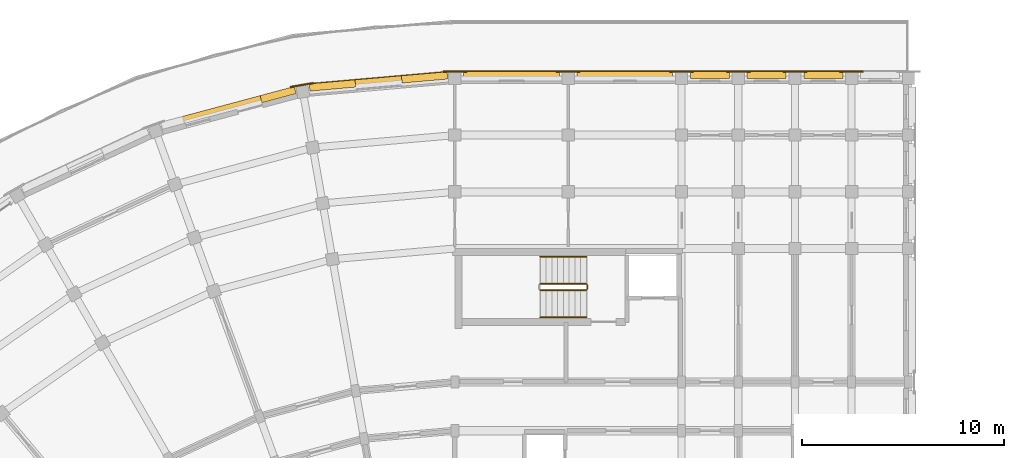
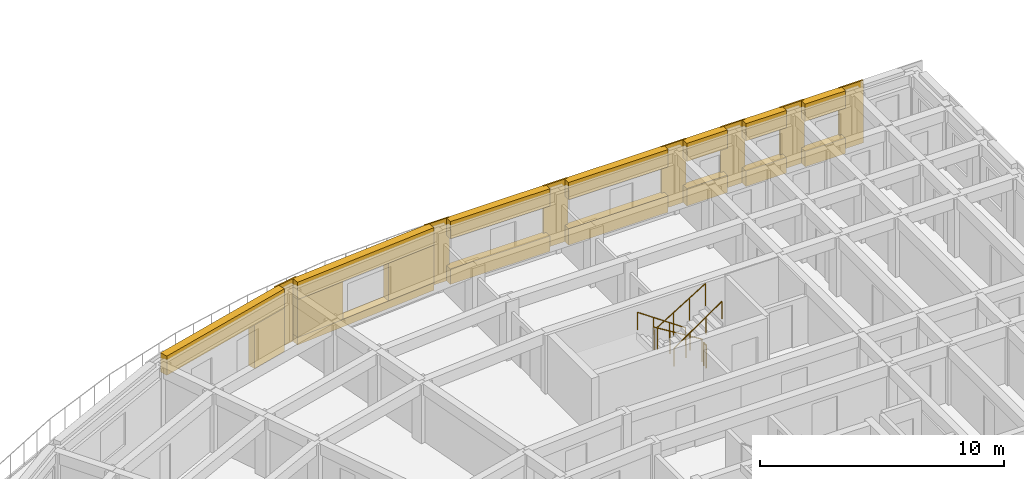
# One storey, part 27 of 32: 23 coverings, 5 railings.
"""IFC4 building model written with IfcOpenShell, lengths in metres."""

from ifc_helpers import new_model, si_unit, direction, frame, origin, origin_2d, place, context, subcontext, project, spatial, polyline, circle, outline, extrude, material, layer, layer_set, type_object, element, save


model = new_model("IFC4")

# Units and contexts
model_context = context("Model", 3, precision=1e-05, world=origin(), true_north=direction((0.0, 1.0)))
body_context = subcontext(model_context, "Body", "Model", "MODEL_VIEW")
ifc_project = project(units=[si_unit("LENGTHUNIT", "METRE"), si_unit("AREAUNIT", "SQUARE_METRE"), si_unit("VOLUMEUNIT", "CUBIC_METRE"), si_unit("PLANEANGLEUNIT", "RADIAN"), si_unit("MASSUNIT", "GRAM", prefix="KILO")], contexts=[model_context])

# Site, building, storey
site_placement = place(None, origin())
site = spatial("IfcSite", under=ifc_project, at=site_placement, CompositionType="ELEMENT")
building_placement = place(site_placement, origin())
building = spatial("IfcBuilding", under=site, at=building_placement, Name="Kiranvali Square Residences", CompositionType="ELEMENT")
storey_placement = place(building_placement, frame((0.0, 0.0, 40.199951171875)))
storey = spatial("IfcBuildingStorey", under=building, at=storey_placement, Name="L12", CompositionType="ELEMENT", Elevation=40.199951171875)

# Coverings
ifc_material_1 = material(Name="Honed Porbandar limestone ashlar facade cladding", Category="masonry")
ifc_layer_1 = layer(ifc_material_1, 0.3798828125)
ifc_layer_set_1 = layer_set([ifc_layer_1], Name="Honed Porbandar limestone ashlar facade cladding")
covering_type_1 = type_object("IfcCoveringType", Name="COV-CLAD-JAMB", PredefinedType="CLADDING", material=ifc_layer_set_1)
covering_1_placement = place(storey_placement, frame((0.0, 0.0, 0.380126953125)))
element("IfcCovering", 1, at=covering_1_placement, inside=storey, type_object=covering_type_1, Name="L12 deep limestone window jamb reveal A-L12-CRV-00.L", PredefinedType="CLADDING", context=body_context, shape_type="SweptSolid", body=[
    extrude(outline(polyline([(47.820068359375, 131.328125), (45.5634765625, 131.130615234375), (45.5947265625, 130.7724609375), (47.851318359375, 130.969970703125), (47.820068359375, 131.328125)])), origin(), (0.0, 0.0, 1.0), 1.89990234375),
])
covering_2_placement = place(storey_placement, frame((0.0, 0.0, 0.380126953125)))
element("IfcCovering", 2, at=covering_2_placement, inside=storey, type_object=covering_type_1, Name="L12 deep limestone window jamb reveal A-L12-CRV-00.R", PredefinedType="CLADDING", context=body_context, shape_type="SweptSolid", body=[
    extrude(outline(polyline([(43.272216796875, 130.93017578125), (41.015625, 130.73291015625), (41.047119140625, 130.374755859375), (43.303466796875, 130.572021484375), (43.272216796875, 130.93017578125)])), origin(), (0.0, 0.0, 1.0), 1.89990234375),
])
covering_3_placement = place(storey_placement, origin())
element("IfcCovering", 3, at=covering_3_placement, inside=storey, type_object=covering_type_1, Name="L12 deep limestone window jamb reveal A-L12-CRV-01.L", PredefinedType="CLADDING", context=body_context, shape_type="SweptSolid", body=[
    extrude(outline(polyline([(40.26708984375, 130.600830078125), (38.5859375, 130.150390625), (38.678955078125, 129.802978515625), (40.360107421875, 130.253662109375), (40.26708984375, 130.600830078125)])), origin(), (0.0, 0.0, 1.0), 2.179931640625),
])
ifc_layer_2 = layer(ifc_material_1, 0.06494140625)
ifc_layer_set_2 = layer_set([ifc_layer_2], Name="Honed Porbandar limestone ashlar facade cladding")
covering_type_2 = type_object("IfcCoveringType", Name="COV-CLAD-PIER", PredefinedType="CLADDING", material=ifc_layer_set_2)
covering_4_placement = place(storey_placement, frame((0.0, 0.0, 0.005126953125)))
element("IfcCovering", 4, at=covering_4_placement, inside=storey, type_object=covering_type_2, Name="L12 Classical limestone corner pilaster CLAD-PR-A-L12-A00", PredefinedType="CLADDING", context=body_context, shape_type="SweptSolid", body=[
    extrude(outline(polyline([(48.780029296875, 131.367919921875), (47.6201171875, 131.367919921875), (47.6201171875, 131.300537109375), (48.780029296875, 131.300537109375), (48.780029296875, 131.367919921875)])), origin(), (0.0, 0.0, 1.0), 3.139892578125),
])
covering_5_placement = place(storey_placement, frame((0.0, 0.0, 0.005126953125)))
element("IfcCovering", 5, at=covering_5_placement, inside=storey, type_object=covering_type_2, Name="L12 Classical limestone corner pilaster CLAD-PR-A-L12-A01", PredefinedType="CLADDING", context=body_context, shape_type="SweptSolid", body=[
    extrude(outline(polyline([(41.20556640625, 130.806884765625), (40.063232421875, 130.60546875), (40.074951171875, 130.538818359375), (41.217529296875, 130.740234375), (41.20556640625, 130.806884765625)])), origin(), (0.0, 0.0, 1.0), 3.139892578125),
])
ifc_layer_3 = layer(ifc_material_1, 0.054931640625)
ifc_layer_set_3 = layer_set([ifc_layer_3], Name="Honed Porbandar limestone ashlar facade cladding")
covering_type_3 = type_object("IfcCoveringType", Name="COV-CLAD-PIER-UP", PredefinedType="CLADDING", material=ifc_layer_set_3)
covering_6_placement = place(storey_placement, frame((0.0, 0.0, 0.005126953125)))
element("IfcCovering", 6, at=covering_6_placement, inside=storey, type_object=covering_type_3, Name="L12 Classical limestone pilaster casing CLAD-PR-A-L12-U56", PredefinedType="CLADDING", context=body_context, shape_type="SweptSolid", body=[
    extrude(outline(polyline([(53.219970703125, 131.300537109375), (54.3798828125, 131.300537109375), (54.3798828125, 131.367919921875), (53.219970703125, 131.367919921875), (53.219970703125, 131.300537109375)])), origin(), (0.0, 0.0, 1.0), 3.139892578125),
])
covering_7_placement = place(storey_placement, frame((0.0, 0.0, 0.005126953125)))
element("IfcCovering", 7, at=covering_7_placement, inside=storey, type_object=covering_type_3, Name="L12 Classical limestone pilaster casing CLAD-PR-A-L12-U112", PredefinedType="CLADDING", context=body_context, shape_type="SweptSolid", body=[
    extrude(outline(polyline([(58.820068359375, 131.300537109375), (59.97998046875, 131.300537109375), (59.97998046875, 131.367919921875), (58.820068359375, 131.367919921875), (58.820068359375, 131.300537109375)])), origin(), (0.0, 0.0, 1.0), 3.139892578125),
])
covering_8_placement = place(storey_placement, frame((0.0, 0.0, 0.005126953125)))
element("IfcCovering", 8, at=covering_8_placement, inside=storey, type_object=covering_type_3, Name="L12 Classical limestone pilaster casing CLAD-PR-A-L12-U140", PredefinedType="CLADDING", context=body_context, shape_type="SweptSolid", body=[
    extrude(outline(polyline([(61.6201171875, 131.300537109375), (62.780029296875, 131.300537109375), (62.780029296875, 131.367919921875), (61.6201171875, 131.367919921875), (61.6201171875, 131.300537109375)])), origin(), (0.0, 0.0, 1.0), 3.139892578125),
])
covering_9_placement = place(storey_placement, frame((0.0, 0.0, 0.005126953125)))
element("IfcCovering", 9, at=covering_9_placement, inside=storey, type_object=covering_type_3, Name="L12 Classical limestone pilaster casing CLAD-PR-A-L12-U167", PredefinedType="CLADDING", context=body_context, shape_type="SweptSolid", body=[
    extrude(outline(polyline([(64.419921875, 131.300537109375), (65.580078125, 131.300537109375), (65.580078125, 131.367919921875), (64.419921875, 131.367919921875), (64.419921875, 131.300537109375)])), origin(), (0.0, 0.0, 1.0), 3.139892578125),
])
covering_10_placement = place(storey_placement, frame((0.0, 0.0, 0.005126953125)))
element("IfcCovering", 10, at=covering_10_placement, inside=storey, type_object=covering_type_3, Name="L12 Classical limestone pilaster casing CLAD-PR-A-L12-U195", PredefinedType="CLADDING", context=body_context, shape_type="SweptSolid", body=[
    extrude(outline(polyline([(67.219970703125, 131.300537109375), (68.3798828125, 131.300537109375), (68.3798828125, 131.367919921875), (67.219970703125, 131.367919921875), (67.219970703125, 131.300537109375)])), origin(), (0.0, 0.0, 1.0), 3.139892578125),
])
ifc_layer_4 = layer(ifc_material_1, 0.360107421875)
ifc_layer_set_4 = layer_set([ifc_layer_4], Name="Honed Porbandar limestone ashlar facade cladding")
covering_type_4 = type_object("IfcCoveringType", Name="COV-CLAD-WALL", PredefinedType="CLADDING", material=ifc_layer_set_4)
covering_11_placement = place(storey_placement, frame((0.0, 0.0, 2.280029296875)))
element("IfcCovering", 11, at=covering_11_placement, inside=storey, type_object=covering_type_4, Name="L12 light limestone spandrel lintel A-L12-CRV-00", PredefinedType="CLADDING", context=body_context, shape_type="SweptSolid", body=[
    extrude(outline(polyline([(47.820068359375, 131.328125), (41.015625, 130.73291015625), (41.047119140625, 130.374755859375), (47.851318359375, 130.969970703125), (47.820068359375, 131.328125)])), origin(), (0.0, 0.0, 1.0), 0.864990234375),
])
covering_12_placement = place(storey_placement, frame((0.0, 0.0, 2.179931640625)))
element("IfcCovering", 12, at=covering_12_placement, inside=storey, type_object=covering_type_4, Name="L12 light limestone spandrel lintel A-L12-CRV-01", PredefinedType="CLADDING", context=body_context, shape_type="SweptSolid", body=[
    extrude(outline(polyline([(40.26708984375, 130.600830078125), (33.669677734375, 128.8330078125), (33.7626953125, 128.48583984375), (40.360107421875, 130.253662109375), (40.26708984375, 130.600830078125)])), origin(), (0.0, 0.0, 1.0), 0.965087890625),
])
covering_13_placement = place(storey_placement, frame((0.0, 0.0, 2.280029296875)))
element("IfcCovering", 13, at=covering_13_placement, inside=storey, type_object=covering_type_4, Name="L12 light limestone spandrel lintel A-L12-A1O-0", PredefinedType="CLADDING", context=body_context, shape_type="SweptSolid", body=[
    extrude(outline(polyline([(48.639892578125, 131.00048828125), (53.360107421875, 131.00048828125), (53.360107421875, 131.35009765625), (48.639892578125, 131.35009765625), (48.639892578125, 131.00048828125)])), origin(), (0.0, 0.0, 1.0), 0.864990234375),
])
covering_14_placement = place(storey_placement, frame((0.0, 0.0, 2.280029296875)))
element("IfcCovering", 14, at=covering_14_placement, inside=storey, type_object=covering_type_4, Name="L12 light limestone spandrel lintel A-L12-A1O-1", PredefinedType="CLADDING", context=body_context, shape_type="SweptSolid", body=[
    extrude(outline(polyline([(54.239990234375, 131.00048828125), (58.9599609375, 131.00048828125), (58.9599609375, 131.35009765625), (54.239990234375, 131.35009765625), (54.239990234375, 131.00048828125)])), origin(), (0.0, 0.0, 1.0), 0.864990234375),
])
covering_15_placement = place(storey_placement, frame((0.0, 0.0, 2.22998046875)))
element("IfcCovering", 15, at=covering_15_placement, inside=storey, type_object=covering_type_4, Name="L12 light limestone spandrel lintel A-L12-A1O-2", PredefinedType="CLADDING", context=body_context, shape_type="SweptSolid", body=[
    extrude(outline(polyline([(59.840087890625, 131.00048828125), (61.760009765625, 131.00048828125), (61.760009765625, 131.35009765625), (59.840087890625, 131.35009765625), (59.840087890625, 131.00048828125)])), origin(), (0.0, 0.0, 1.0), 0.9150390625),
])
covering_16_placement = place(storey_placement, frame((0.0, 0.0, 2.280029296875)))
element("IfcCovering", 16, at=covering_16_placement, inside=storey, type_object=covering_type_4, Name="L12 light limestone spandrel lintel A-L12-A1O-3", PredefinedType="CLADDING", context=body_context, shape_type="SweptSolid", body=[
    extrude(outline(polyline([(62.639892578125, 131.00048828125), (64.56005859375, 131.00048828125), (64.56005859375, 131.35009765625), (62.639892578125, 131.35009765625), (62.639892578125, 131.00048828125)])), origin(), (0.0, 0.0, 1.0), 0.864990234375),
])
covering_17_placement = place(storey_placement, frame((0.0, 0.0, 2.280029296875)))
element("IfcCovering", 17, at=covering_17_placement, inside=storey, type_object=covering_type_4, Name="L12 light limestone spandrel lintel A-L12-A1O-4", PredefinedType="CLADDING", context=body_context, shape_type="SweptSolid", body=[
    extrude(outline(polyline([(65.43994140625, 131.00048828125), (67.360107421875, 131.00048828125), (67.360107421875, 131.35009765625), (65.43994140625, 131.35009765625), (65.43994140625, 131.00048828125)])), origin(), (0.0, 0.0, 1.0), 0.864990234375),
])
ifc_layer_5 = layer(ifc_material_1, 0.320068359375)
ifc_layer_set_5 = layer_set([ifc_layer_5], Name="Honed Porbandar limestone ashlar facade cladding")
covering_type_5 = type_object("IfcCoveringType", Name="COV-CLAD-WALL-UP", PredefinedType="CLADDING", material=ifc_layer_set_5)
covering_18_placement = place(storey_placement, frame((0.0, 0.0, 0.005126953125)))
element("IfcCovering", 18, at=covering_18_placement, inside=storey, type_object=covering_type_5, Name="L12 limestone window sill apron A-L12-CRV-00", PredefinedType="CLADDING", context=body_context, shape_type="SweptSolid", body=[
    extrude(outline(polyline([(47.8173828125, 131.35791015625), (41.01318359375, 130.7626953125), (41.047119140625, 130.374755859375), (47.851318359375, 130.969970703125), (47.8173828125, 131.35791015625)])), origin(), (0.0, 0.0, 1.0), 0.375),
])
covering_19_placement = place(storey_placement, frame((0.0, 0.0, 0.005126953125)))
element("IfcCovering", 19, at=covering_19_placement, inside=storey, type_object=covering_type_5, Name="L12 limestone window sill apron A-L12-A1O-0", PredefinedType="CLADDING", context=body_context, shape_type="SweptSolid", body=[
    extrude(outline(polyline([(48.639892578125, 131.00048828125), (53.360107421875, 131.00048828125), (53.360107421875, 131.3798828125), (48.639892578125, 131.3798828125), (48.639892578125, 131.00048828125)])), origin(), (0.0, 0.0, 1.0), 0.77490234375),
])
covering_20_placement = place(storey_placement, frame((0.0, 0.0, 0.005126953125)))
element("IfcCovering", 20, at=covering_20_placement, inside=storey, type_object=covering_type_5, Name="L12 limestone window sill apron A-L12-A1O-1", PredefinedType="CLADDING", context=body_context, shape_type="SweptSolid", body=[
    extrude(outline(polyline([(54.239990234375, 131.00048828125), (58.9599609375, 131.00048828125), (58.9599609375, 131.3798828125), (54.239990234375, 131.3798828125), (54.239990234375, 131.00048828125)])), origin(), (0.0, 0.0, 1.0), 0.824951171875),
])
covering_21_placement = place(storey_placement, frame((0.0, 0.0, 0.005126953125)))
element("IfcCovering", 21, at=covering_21_placement, inside=storey, type_object=covering_type_5, Name="L12 limestone window sill apron A-L12-A1O-2", PredefinedType="CLADDING", context=body_context, shape_type="SweptSolid", body=[
    extrude(outline(polyline([(59.840087890625, 131.00048828125), (61.760009765625, 131.00048828125), (61.760009765625, 131.3798828125), (59.840087890625, 131.3798828125), (59.840087890625, 131.00048828125)])), origin(), (0.0, 0.0, 1.0), 0.875),
])
covering_22_placement = place(storey_placement, frame((0.0, 0.0, 0.005126953125)))
element("IfcCovering", 22, at=covering_22_placement, inside=storey, type_object=covering_type_5, Name="L12 limestone window sill apron A-L12-A1O-3", PredefinedType="CLADDING", context=body_context, shape_type="SweptSolid", body=[
    extrude(outline(polyline([(62.639892578125, 131.00048828125), (64.56005859375, 131.00048828125), (64.56005859375, 131.3798828125), (62.639892578125, 131.3798828125), (62.639892578125, 131.00048828125)])), origin(), (0.0, 0.0, 1.0), 0.77490234375),
])
covering_23_placement = place(storey_placement, frame((0.0, 0.0, 0.005126953125)))
element("IfcCovering", 23, at=covering_23_placement, inside=storey, type_object=covering_type_5, Name="L12 limestone window sill apron A-L12-A1O-4", PredefinedType="CLADDING", context=body_context, shape_type="SweptSolid", body=[
    extrude(outline(polyline([(65.43994140625, 131.00048828125), (67.360107421875, 131.00048828125), (67.360107421875, 131.3798828125), (65.43994140625, 131.3798828125), (65.43994140625, 131.00048828125)])), origin(), (0.0, 0.0, 1.0), 0.77490234375),
])

# Railings
ifc_material_2 = material(Name="Brushed stainless steel tubular handrail", Category="steel")
railing_type_1 = type_object("IfcRailingType", Name="RL-HANDRAIL-900", PredefinedType="HANDRAIL", material=ifc_material_2)
railing_1_placement = place(storey_placement, frame((54.699951171875, 122.199951171875, 0.175048828125)))
element("IfcRailing", 24, at=railing_1_placement, inside=storey, type_object=railing_type_1, Name="L12 ST-A1 stair handrail 1", PredefinedType="HANDRAIL", context=body_context, shape_type="SweptSolid", body=[
    extrude(circle(Radius=0.02392578125, at=origin_2d()), frame((0.0, 0.0, 0.8759765625), z_axis=(-0.82278801735, 0.0, 0.568348377763), x_axis=(0.0, -1.0, 0.0)), (0.0, 0.0, 1.0), 2.77099609375),
    extrude(circle(Radius=0.02099609375, at=origin_2d()), origin(), (0.0, 0.0, 1.0), 0.851806640625),
    extrude(circle(Radius=0.02099609375, at=origin_2d()), frame((-0.760009765625, 0.0, 0.52490234375)), (0.0, 0.0, 1.0), 0.851806640625),
    extrude(circle(Radius=0.02099609375, at=origin_2d()), frame((-1.52001953125, 0.0, 1.050048828125)), (0.0, 0.0, 1.0), 0.851806640625),
    extrude(circle(Radius=0.02099609375, at=origin_2d()), frame((-2.280029296875, 0.0, 1.574951171875)), (0.0, 0.0, 1.0), 0.851806640625),
])
railing_2_placement = place(storey_placement, frame((52.419921875, 119.199951171875, 1.75)))
element("IfcRailing", 25, at=railing_2_placement, inside=storey, type_object=railing_type_1, Name="L12 ST-A1 stair handrail 2", PredefinedType="HANDRAIL", context=body_context, shape_type="SweptSolid", body=[
    extrude(circle(Radius=0.02392578125, at=origin_2d()), frame((0.0, 0.0, 0.8759765625), z_axis=(0.82278801735, 0.0, 0.568348377763), x_axis=(0.0, 1.0, 0.0)), (0.0, 0.0, 1.0), 2.77099609375),
    extrude(circle(Radius=0.02099609375, at=origin_2d()), origin(), (0.0, 0.0, 1.0), 0.851806640625),
    extrude(circle(Radius=0.02099609375, at=origin_2d()), frame((0.760009765625, 0.0, 0.52490234375)), (0.0, 0.0, 1.0), 0.851806640625),
    extrude(circle(Radius=0.02099609375, at=origin_2d()), frame((1.52001953125, 0.0, 1.050048828125)), (0.0, 0.0, 1.0), 0.851806640625),
    extrude(circle(Radius=0.02099609375, at=origin_2d()), frame((2.280029296875, 0.0, 1.574951171875)), (0.0, 0.0, 1.0), 0.851806640625),
])
ifc_material_3 = material(Name="Powder-coated architectural bronze balustrade", Category="steel")
railing_type_2 = type_object("IfcRailingType", Name="RL-ST-GUARD-1200", PredefinedType="GUARDRAIL", material=ifc_material_3)
railing_3_placement = place(storey_placement, frame((54.699951171875, 120.85009765625, 0.175048828125)))
element("IfcRailing", 26, at=railing_3_placement, inside=storey, type_object=railing_type_2, Name="L12 ST-A1 stair guard 1", PredefinedType="GUARDRAIL", context=body_context, shape_type="SweptSolid", body=[
    extrude(circle(Radius=0.02392578125, at=origin_2d()), frame((0.0, 0.0, 1.1259765625), z_axis=(-0.852190499154, 0.0, 0.523231643875), x_axis=(0.0, -1.0, 0.0)), (0.0, 0.0, 1.0), 2.675537109375),
    extrude(circle(Radius=0.02099609375, at=origin_2d()), origin(), (0.0, 0.0, 1.0), 1.101806640625),
    extrude(circle(Radius=0.02099609375, at=origin_2d()), frame((-0.760009765625, 0.0, 0.466552734375)), (0.0, 0.0, 1.0), 1.101806640625),
    extrude(circle(Radius=0.02099609375, at=origin_2d()), frame((-1.52001953125, 0.0, 0.933349609375)), (0.0, 0.0, 1.0), 1.101806640625),
    extrude(circle(Radius=0.02099609375, at=origin_2d()), frame((-2.280029296875, 0.0, 1.39990234375)), (0.0, 0.0, 1.0), 1.101806640625),
])
railing_4_placement = place(storey_placement, frame((52.419921875, 120.550048828125, 1.75)))
element("IfcRailing", 27, at=railing_4_placement, inside=storey, type_object=railing_type_2, Name="L12 ST-A1 stair guard 3", PredefinedType="GUARDRAIL", context=body_context, shape_type="SweptSolid", body=[
    extrude(circle(Radius=0.02392578125, at=origin_2d()), frame((0.0, 0.0, 1.1259765625), z_axis=(0.852149810458, 0.0, 0.523297908018), x_axis=(0.0, 1.0, 0.0)), (0.0, 0.0, 1.0), 2.675537109375),
    extrude(circle(Radius=0.02099609375, at=origin_2d()), origin(), (0.0, 0.0, 1.0), 1.101806640625),
    extrude(circle(Radius=0.02099609375, at=origin_2d()), frame((0.760009765625, 0.0, 0.466796875)), (0.0, 0.0, 1.0), 1.101806640625),
    extrude(circle(Radius=0.02099609375, at=origin_2d()), frame((1.52001953125, 0.0, 0.933349609375)), (0.0, 0.0, 1.0), 1.101806640625),
    extrude(circle(Radius=0.02099609375, at=origin_2d()), frame((2.280029296875, 0.0, 1.400146484375)), (0.0, 0.0, 1.0), 1.101806640625),
])
railing_5_placement = place(storey_placement, frame((54.75, 120.800048828125, 0.0)))
element("IfcRailing", 28, at=railing_5_placement, inside=storey, type_object=railing_type_2, Name="L12 ST-A1 stair guard 4", PredefinedType="GUARDRAIL", context=body_context, shape_type="SweptSolid", body=[
    extrude(circle(Radius=0.02392578125, at=origin_2d()), frame((0.0, 0.0, 1.1259765625), z_axis=(0.0, -1.0, 0.0), x_axis=(1.0, 0.0, 0.0)), (0.0, 0.0, 1.0), 0.199951171875),
    extrude(circle(Radius=0.02099609375, at=origin_2d()), origin(), (0.0, 0.0, 1.0), 1.101806640625),
    extrude(circle(Radius=0.02099609375, at=origin_2d()), frame((0.0, -0.199951171875, 0.0)), (0.0, 0.0, 1.0), 1.101806640625),
])

save(model, "model.ifc")
